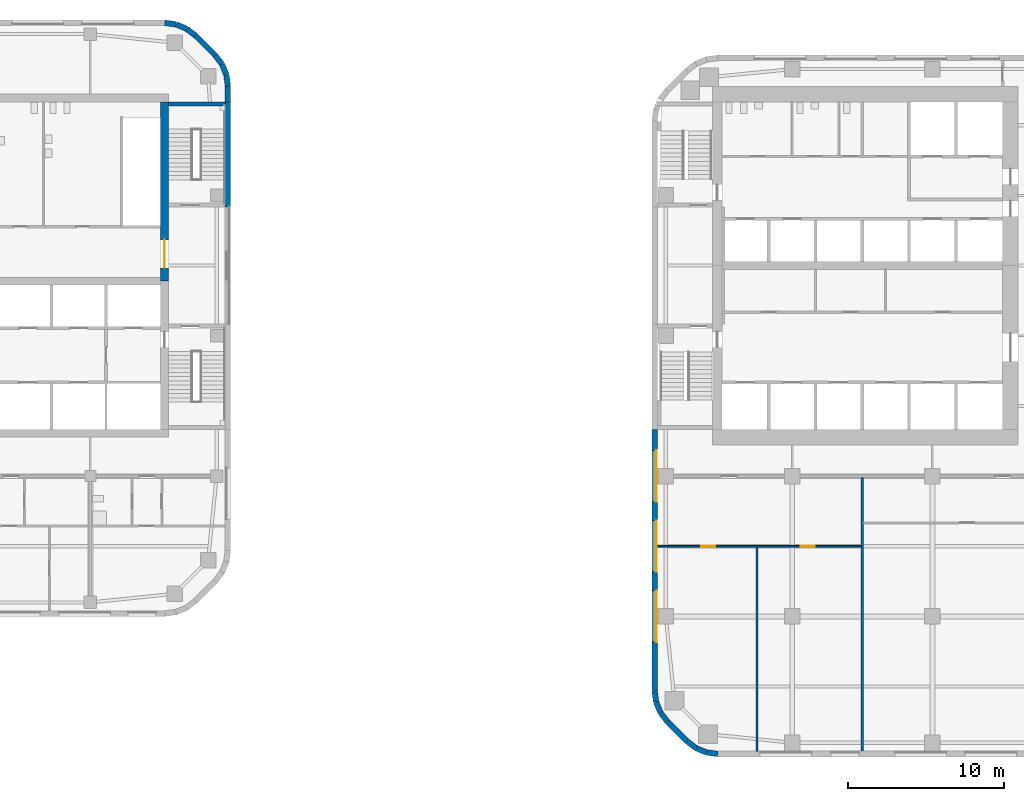
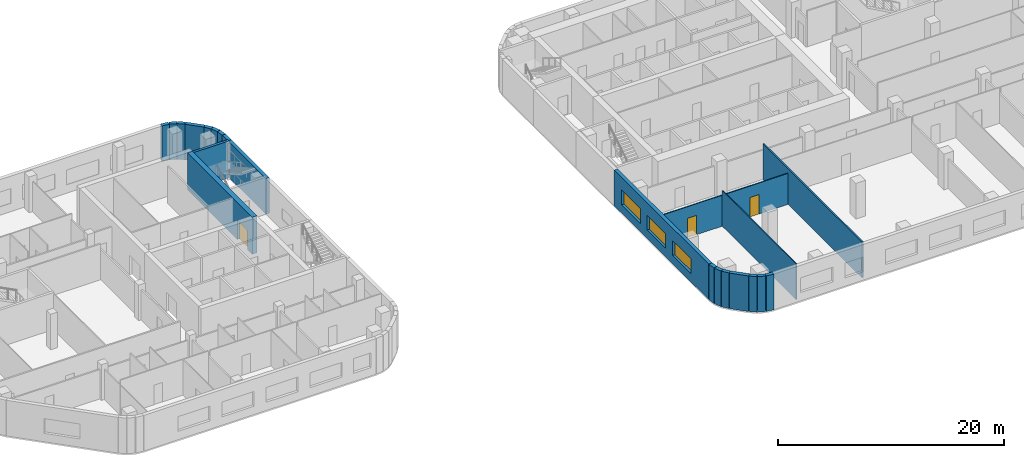
# One storey, part 8 of 16: 22 walls, 3 doors, 3 windows, 6 openings.
"""IFC4 building model written with IfcOpenShell, lengths in metres."""

from ifc_helpers import new_model, si_unit, direction, frame, frame_2d, origin, place, context, subcontext, project, spatial, rectangle, extrude, material, layer, layer_set, type_object, element, fill, save


model = new_model("IFC4")

# Units and contexts
model_context = context("Model", 3, precision=1e-05, world=origin(), true_north=direction((0.0, 1.0)))
body_context = subcontext(model_context, "Body", "Model", "MODEL_VIEW")
ifc_project = project(units=[si_unit("LENGTHUNIT", "METRE"), si_unit("AREAUNIT", "SQUARE_METRE"), si_unit("VOLUMEUNIT", "CUBIC_METRE"), si_unit("PLANEANGLEUNIT", "RADIAN"), si_unit("MASSUNIT", "GRAM", prefix="KILO")], contexts=[model_context])

# Site, building, storey
site_placement = place(None, origin())
site = spatial("IfcSite", under=ifc_project, at=site_placement, CompositionType="ELEMENT")
building_placement = place(site_placement, origin())
building = spatial("IfcBuilding", under=site, at=building_placement, Name="Cinnabar Reach Civic Tower", CompositionType="ELEMENT")
storey_placement = place(building_placement, frame((0.0, 0.0, 55.0)))
storey = spatial("IfcBuildingStorey", under=building, at=storey_placement, Name="L12", CompositionType="ELEMENT", Elevation=55.0)

# Walls
ifc_material_1 = material(Name="Facing brick with insulated backing", Category="masonry")
ifc_layer_1 = layer(ifc_material_1, 0.36)
ifc_layer_set_1 = layer_set([ifc_layer_1], Name="Brick corner wall")
wall_type_1 = type_object("IfcWallType", Name="Brick corner wall", PredefinedType="STANDARD", material=ifc_layer_set_1)
for number, where, z_axis, x_axis, name in (
    (1, (0.183, 4.2314, 0.0), (0.0, 0.0, 1.0), (0.13055608231, -0.99144092581, 0.0), "Brick corner wall"),
    (2, (0.2819, 3.5027, 0.0), (0.0, 0.0, 1.0), (0.382702709855, -0.923871547278, 0.0), "Brick corner wall"),
):
    element("IfcWall", number, at=place(storey_placement, frame(where, z_axis=z_axis, x_axis=x_axis)), inside=storey, type_object=wall_type_1, Name=name, PredefinedType="STANDARD", context=body_context, shape_type="SweptSolid", body=[
        extrude(rectangle(XDim=0.7131, YDim=0.36, at=frame_2d((0.3565, 0.0))), origin(), (0.0, 0.0, 1.0), 3.85),
    ])
for number, where, z_axis, x_axis, name in (
    (3, (0.566, 2.8245, 0.0), (0.0, 0.0, 1.0), (0.608802368033, -0.793321924995, 0.0), "Brick corner wall"),
    (4, (2.2587, 1.0002, 0.0), (0.0, 0.0, 1.0), (0.793321924995, -0.608802368033, 0.0), "Brick corner wall"),
):
    element("IfcWall", number, at=place(storey_placement, frame(where, z_axis=z_axis, x_axis=x_axis)), inside=storey, type_object=wall_type_1, Name=name, PredefinedType="STANDARD", context=body_context, shape_type="SweptSolid", body=[
        extrude(rectangle(XDim=0.7132, YDim=0.36, at=frame_2d((0.3566, 0.0))), origin(), (0.0, 0.0, 1.0), 3.85),
    ])
for number, where, z_axis, x_axis, name in (
    (5, (2.8439, 0.5548, 0.0), (0.0, 0.0, 1.0), (0.923871547278, -0.382702709855, 0.0), "Brick corner wall"),
    (6, (3.5244, 0.2761, 0.0), (0.0, 0.0, 1.0), (0.99144092581, -0.13055608231, 0.0), "Brick corner wall"),
    (7, (-27.183, 43.0186, 0.0), (0.0, 0.0, 1.0), (-0.13055608231, 0.99144092581, 0.0), "Brick corner wall"),
    (8, (-27.2819, 43.7473, 0.0), (0.0, 0.0, 1.0), (-0.382702709855, 0.923871547278, 0.0), "Brick corner wall"),
):
    element("IfcWall", number, at=place(storey_placement, frame(where, z_axis=z_axis, x_axis=x_axis)), inside=storey, type_object=wall_type_1, Name=name, PredefinedType="STANDARD", context=body_context, shape_type="SweptSolid", body=[
        extrude(rectangle(XDim=0.7131, YDim=0.36, at=frame_2d((0.3565, 0.0))), origin(), (0.0, 0.0, 1.0), 3.85),
    ])
for number, where, z_axis, x_axis, name in (
    (9, (-27.566, 44.4255, 0.0), (0.0, 0.0, 1.0), (-0.608802368033, 0.793321924995, 0.0), "Brick corner wall"),
    (10, (-29.2587, 46.2498, 0.0), (0.0, 0.0, 1.0), (-0.793321924995, 0.608802368033, 0.0), "Brick corner wall"),
):
    element("IfcWall", number, at=place(storey_placement, frame(where, z_axis=z_axis, x_axis=x_axis)), inside=storey, type_object=wall_type_1, Name=name, PredefinedType="STANDARD", context=body_context, shape_type="SweptSolid", body=[
        extrude(rectangle(XDim=0.7132, YDim=0.36, at=frame_2d((0.3566, 0.0))), origin(), (0.0, 0.0, 1.0), 3.85),
    ])
for number, where, z_axis, x_axis, name in (
    (11, (-29.8439, 46.6952, 0.0), (0.0, 0.0, 1.0), (-0.923871547278, 0.382702709855, 0.0), "Brick corner wall"),
    (12, (-30.5244, 46.9739, 0.0), (0.0, 0.0, 1.0), (-0.99144092581, 0.13055608231, 0.0), "Brick corner wall"),
):
    element("IfcWall", number, at=place(storey_placement, frame(where, z_axis=z_axis, x_axis=x_axis)), inside=storey, type_object=wall_type_1, Name=name, PredefinedType="STANDARD", context=body_context, shape_type="SweptSolid", body=[
        extrude(rectangle(XDim=0.7131, YDim=0.36, at=frame_2d((0.3565, 0.0))), origin(), (0.0, 0.0, 1.0), 3.85),
    ])

# Wall, openings, windows
ifc_layer_2 = layer(ifc_material_1, 0.36)
ifc_layer_set_2 = layer_set([ifc_layer_2], Name="Brick pier and spandrel wall")
wall_type_2 = type_object("IfcWallType", Name="Brick pier and spandrel wall", PredefinedType="STANDARD", material=ifc_layer_set_2)
wall_1_placement = place(storey_placement, frame((0.18, 21.0, 0.0), z_axis=(0.0, 0.0, 1.0), x_axis=(0.0, -1.0, 0.0)))
wall_1 = element("IfcWall", 13, at=wall_1_placement, inside=storey, type_object=wall_type_2, Name="Brick facade wall", PredefinedType="STANDARD", context=body_context, shape_type="SweptSolid", body=[
    extrude(rectangle(XDim=16.7574, YDim=0.36, at=frame_2d((8.3787, 0.0))), origin(), (0.0, 0.0, 1.0), 3.85),
])
opening_1_placement = place(wall_1_placement, frame((1.35, 0.0, 0.9)))
opening_1 = element("IfcOpeningElement", 14, at=opening_1_placement, cuts=wall_1, Name="Opening W1210", PredefinedType="OPENING", context=body_context, shape_type="SweptSolid", body=[
    extrude(rectangle(XDim=3.3, YDim=1.6, at=frame_2d((1.65, 0.8))), frame((0.0, 0.19, 0.0), z_axis=(0.0, -1.0, 0.0), x_axis=(1.0, 0.0, 0.0)), (0.0, 0.0, 1.0), 0.38),
])
opening_2_placement = place(wall_1_placement, frame((5.85, 0.0, 0.9)))
opening_2 = element("IfcOpeningElement", 15, at=opening_2_placement, cuts=wall_1, Name="Opening W1211", PredefinedType="OPENING", context=body_context, shape_type="SweptSolid", body=[
    extrude(rectangle(XDim=3.3, YDim=1.6, at=frame_2d((1.65, 0.8))), frame((0.0, 0.19, 0.0), z_axis=(0.0, -1.0, 0.0), x_axis=(1.0, 0.0, 0.0)), (0.0, 0.0, 1.0), 0.38),
])
opening_3_placement = place(wall_1_placement, frame((10.35, 0.0, 0.9)))
opening_3 = element("IfcOpeningElement", 16, at=opening_3_placement, cuts=wall_1, Name="Opening W1212", PredefinedType="OPENING", context=body_context, shape_type="SweptSolid", body=[
    extrude(rectangle(XDim=3.3, YDim=1.6, at=frame_2d((1.65, 0.8))), frame((0.0, 0.19, 0.0), z_axis=(0.0, -1.0, 0.0), x_axis=(1.0, 0.0, 0.0)), (0.0, 0.0, 1.0), 0.38),
])
ifc_material_2 = material(Name="Clear double glazing in aluminium frame", Category="aluminium")
window_type = type_object("IfcWindowType", Name="Deep-set window A", PartitioningType="SINGLE_PANEL", PredefinedType="WINDOW", material=ifc_material_2)
window_1_placement = place(opening_1_placement, origin())
window_1 = element("IfcWindow", 17, at=window_1_placement, inside=storey, type_object=window_type, Name="Window west face", OverallHeight=1.6, OverallWidth=3.3, PartitioningType="SINGLE_PANEL", PredefinedType="WINDOW", context=body_context, shape_type="SweptSolid", body=[
    extrude(rectangle(XDim=3.3, YDim=1.6, at=frame_2d((1.65, 0.8))), frame((0.0, 0.13, 0.0), z_axis=(0.0, -1.0, 0.0), x_axis=(1.0, 0.0, 0.0)), (0.0, 0.0, 1.0), 0.06),
])
fill(opening_1, window_1)
window_2_placement = place(opening_2_placement, origin())
window_2 = element("IfcWindow", 18, at=window_2_placement, inside=storey, type_object=window_type, Name="Window west face", OverallHeight=1.6, OverallWidth=3.3, PartitioningType="SINGLE_PANEL", PredefinedType="WINDOW", context=body_context, shape_type="SweptSolid", body=[
    extrude(rectangle(XDim=3.3, YDim=1.6, at=frame_2d((1.65, 0.8))), frame((0.0, 0.13, 0.0), z_axis=(0.0, -1.0, 0.0), x_axis=(1.0, 0.0, 0.0)), (0.0, 0.0, 1.0), 0.06),
])
fill(opening_2, window_2)
window_3_placement = place(opening_3_placement, origin())
window_3 = element("IfcWindow", 19, at=window_3_placement, inside=storey, type_object=window_type, Name="Window west face", OverallHeight=1.6, OverallWidth=3.3, PartitioningType="SINGLE_PANEL", PredefinedType="WINDOW", context=body_context, shape_type="SweptSolid", body=[
    extrude(rectangle(XDim=3.3, YDim=1.6, at=frame_2d((1.65, 0.8))), frame((0.0, 0.13, 0.0), z_axis=(0.0, -1.0, 0.0), x_axis=(1.0, 0.0, 0.0)), (0.0, 0.0, 1.0), 0.06),
])
fill(opening_3, window_3)

# Walls
wall_2_placement = place(storey_placement, frame((1.006, 2.2486, 0.0), z_axis=(0.0, 0.0, 1.0), x_axis=(0.707106781187, -0.707106781187, 0.0)))
element("IfcWall", 20, at=wall_2_placement, inside=storey, type_object=wall_type_2, Name="Brick facade wall", PredefinedType="STANDARD", context=body_context, shape_type="SweptSolid", body=[
    extrude(rectangle(XDim=1.7573, YDim=0.36, at=frame_2d((0.8787, 0.0))), origin(), (0.0, 0.0, 1.0), 3.85),
])
wall_3_placement = place(storey_placement, frame((-27.18, 35.25, 0.0), z_axis=(0.0, 0.0, 1.0), x_axis=(0.0, 1.0, 0.0)))
element("IfcWall", 21, at=wall_3_placement, inside=storey, type_object=wall_type_2, Name="Brick facade wall", PredefinedType="STANDARD", context=body_context, shape_type="SweptSolid", body=[
    extrude(rectangle(XDim=6.75, YDim=0.36, at=frame_2d((3.375, 0.0))), origin(), (0.0, 0.0, 1.0), 3.85),
])
wall_4_placement = place(storey_placement, frame((-27.18, 42.0, 0.0), z_axis=(0.0, 0.0, 1.0), x_axis=(0.0, 1.0, 0.0)))
element("IfcWall", 22, at=wall_4_placement, inside=storey, type_object=wall_type_2, Name="Brick facade wall", PredefinedType="STANDARD", context=body_context, shape_type="SweptSolid", body=[
    extrude(rectangle(XDim=1.0074, YDim=0.36, at=frame_2d((0.5037, 0.0))), origin(), (0.0, 0.0, 1.0), 3.85),
])
wall_5_placement = place(storey_placement, frame((-28.006, 45.0014, 0.0), z_axis=(0.0, 0.0, 1.0), x_axis=(-0.707106781187, 0.707106781187, 0.0)))
element("IfcWall", 23, at=wall_5_placement, inside=storey, type_object=wall_type_2, Name="Brick facade wall", PredefinedType="STANDARD", context=body_context, shape_type="SweptSolid", body=[
    extrude(rectangle(XDim=1.7573, YDim=0.36, at=frame_2d((0.8787, 0.0))), origin(), (0.0, 0.0, 1.0), 3.85),
])

# Wall, opening, door
ifc_material_3 = material(Name="Concrete C60", Category="concrete")
ifc_layer_3 = layer(ifc_material_3, 0.5)
ifc_layer_set_3 = layer_set([ifc_layer_3], Name="Core wall 500 EI 180")
wall_type_3 = type_object("IfcWallType", Name="Core wall 500 EI 180", PredefinedType="SOLIDWALL", material=ifc_layer_set_3)
wall_6_placement = place(storey_placement, frame((-31.25, 30.5, 0.0), z_axis=(0.0, 0.0, 1.0), x_axis=(0.0, 1.0, 0.0)))
wall_6 = element("IfcWall", 24, at=wall_6_placement, inside=storey, type_object=wall_type_3, Name="Core wall T2 L12 E2", PredefinedType="SOLIDWALL", context=body_context, shape_type="SweptSolid", body=[
    extrude(rectangle(XDim=11.5, YDim=0.5, at=frame_2d((5.75, 0.0))), origin(), (0.0, 0.0, 1.0), 4.0),
])
opening_4_placement = place(wall_6_placement, frame((0.85, 0.0, 0.0)))
opening_4 = element("IfcOpeningElement", 25, at=opening_4_placement, cuts=wall_6, Name="Opening D6450", PredefinedType="OPENING", context=body_context, shape_type="SweptSolid", body=[
    extrude(rectangle(XDim=1.8, YDim=2.1, at=frame_2d((0.9, 1.05))), frame((0.0, 0.26, 0.0), z_axis=(0.0, -1.0, 0.0), x_axis=(1.0, 0.0, 0.0)), (0.0, 0.0, 1.0), 0.52),
])
ifc_material_4 = material(Name="Steel fire door", Category="steel")
door_type_1 = type_object("IfcDoorType", Name="T2 Double door 1800", OperationType="DOUBLE_DOOR_SINGLE_SWING", PredefinedType="DOOR", material=ifc_material_4)
door_1_placement = place(opening_4_placement, origin())
door_1 = element("IfcDoor", 26, at=door_1_placement, inside=storey, type_object=door_type_1, Name="T2 Double door D6450", OperationType="DOUBLE_DOOR_SINGLE_SWING", OverallHeight=2.1, OverallWidth=1.8, PredefinedType="DOOR", context=body_context, shape_type="SweptSolid", body=[
    extrude(rectangle(XDim=1.8, YDim=2.1, at=frame_2d((0.9, 1.05))), frame((0.0, 0.025, 0.0), z_axis=(0.0, -1.0, 0.0), x_axis=(1.0, 0.0, 0.0)), (0.0, 0.0, 1.0), 0.05),
])
fill(opening_4, door_1)

# Wall, openings, doors
ifc_material_5 = material(Name="Gypsum board on steel studs", Category="steel")
ifc_layer_4 = layer(ifc_material_5, 0.1)
ifc_layer_set_4 = layer_set([ifc_layer_4], Name="Partition wall 100 T1")
wall_type_4 = type_object("IfcWallType", Name="Partition wall 100 T1", PredefinedType="PARTITIONING", material=ifc_layer_set_4)
wall_7_placement = place(storey_placement, frame((0.36, 13.5, 0.0), z_axis=(0.0, 0.0, 1.0), x_axis=(1.0, 0.0, 0.0)))
wall_7 = element("IfcWall", 27, at=wall_7_placement, inside=storey, type_object=wall_type_4, Name="Partition wall 54", PredefinedType="PARTITIONING", context=body_context, shape_type="SweptSolid", body=[
    extrude(rectangle(XDim=13.065, YDim=0.1, at=frame_2d((6.5325, 0.0))), origin(), (0.0, 0.0, 1.0), 3.35),
])
opening_5_placement = place(wall_7_placement, frame((2.8, 0.0, 0.0)))
opening_5 = element("IfcOpeningElement", 28, at=opening_5_placement, cuts=wall_7, Name="Opening D3503", PredefinedType="OPENING", context=body_context, shape_type="SweptSolid", body=[
    extrude(rectangle(XDim=0.9, YDim=2.1, at=frame_2d((0.45, 1.05))), frame((0.0, 0.06, 0.0), z_axis=(0.0, -1.0, 0.0), x_axis=(1.0, 0.0, 0.0)), (0.0, 0.0, 1.0), 0.12),
])
opening_6_placement = place(wall_7_placement, frame((9.19, 0.0, 0.0)))
opening_6 = element("IfcOpeningElement", 29, at=opening_6_placement, cuts=wall_7, Name="Opening D3504", PredefinedType="OPENING", context=body_context, shape_type="SweptSolid", body=[
    extrude(rectangle(XDim=0.9, YDim=2.1, at=frame_2d((0.45, 1.05))), frame((0.0, 0.06, 0.0), z_axis=(0.0, -1.0, 0.0), x_axis=(1.0, 0.0, 0.0)), (0.0, 0.0, 1.0), 0.12),
])
ifc_material_6 = material(Name="Timber door leaf in steel frame", Category="steel")
door_type_2 = type_object("IfcDoorType", Name="Single swing door 900 x 2100 T1", OperationType="SINGLE_SWING_LEFT", PredefinedType="DOOR", material=ifc_material_6)
door_2_placement = place(opening_5_placement, origin())
door_2 = element("IfcDoor", 30, at=door_2_placement, inside=storey, type_object=door_type_2, Name="Door D3503", OperationType="SINGLE_SWING_LEFT", OverallHeight=2.1, OverallWidth=0.9, PredefinedType="DOOR", context=body_context, shape_type="SweptSolid", body=[
    extrude(rectangle(XDim=0.9, YDim=2.1, at=frame_2d((0.45, 1.05))), frame((0.0, 0.025, 0.0), z_axis=(0.0, -1.0, 0.0), x_axis=(1.0, 0.0, 0.0)), (0.0, 0.0, 1.0), 0.05),
])
fill(opening_5, door_2)
door_3_placement = place(opening_6_placement, origin())
door_3 = element("IfcDoor", 31, at=door_3_placement, inside=storey, type_object=door_type_2, Name="Door D3504", OperationType="SINGLE_SWING_RIGHT", OverallHeight=2.1, OverallWidth=0.9, PredefinedType="DOOR", context=body_context, shape_type="SweptSolid", body=[
    extrude(rectangle(XDim=0.9, YDim=2.1, at=frame_2d((0.45, 1.05))), frame((0.0, 0.025, 0.0), z_axis=(0.0, -1.0, 0.0), x_axis=(1.0, 0.0, 0.0)), (0.0, 0.0, 1.0), 0.05),
])
fill(opening_6, door_3)

# Walls
wall_8_placement = place(storey_placement, frame((6.75, 0.36, 0.0), z_axis=(0.0, 0.0, 1.0), x_axis=(0.0, 1.0, 0.0)))
element("IfcWall", 32, at=wall_8_placement, inside=storey, type_object=wall_type_4, Name="Partition wall 55", PredefinedType="PARTITIONING", context=body_context, shape_type="SweptSolid", body=[
    extrude(rectangle(XDim=13.09, YDim=0.1, at=frame_2d((6.545, 0.0))), origin(), (0.0, 0.0, 1.0), 3.85),
])
ifc_layer_5 = layer(ifc_material_3, 0.25)
ifc_layer_set_5 = layer_set([ifc_layer_5], Name="Stair shaft wall 250 EI 120")
wall_type_5 = type_object("IfcWallType", Name="Stair shaft wall 250 EI 120", PredefinedType="SOLIDWALL", material=ifc_layer_set_5)
wall_9_placement = place(storey_placement, frame((-27.36, 41.875, 0.0), z_axis=(0.0, 0.0, 1.0), x_axis=(-1.0, 0.0, 0.0)))
element("IfcWall", 33, at=wall_9_placement, inside=storey, type_object=wall_type_5, Name="Stair shaft wall T2-S2 L12", PredefinedType="SOLIDWALL", context=body_context, shape_type="SweptSolid", body=[
    extrude(rectangle(XDim=3.64, YDim=0.25, at=frame_2d((1.82, 0.0))), origin(), (0.0, 0.0, 1.0), 4.0),
])
ifc_material_7 = material(Name="Gypsum board on steel studs, double layer", Category="steel")
ifc_layer_6 = layer(ifc_material_7, 0.15)
ifc_layer_set_6 = layer_set([ifc_layer_6], Name="Tenancy separating wall 150 T1")
wall_type_6 = type_object("IfcWallType", Name="Tenancy separating wall 150 T1", PredefinedType="PARTITIONING", material=ifc_layer_set_6)
wall_10_placement = place(storey_placement, frame((13.5, 0.36, 0.0), z_axis=(0.0, 0.0, 1.0), x_axis=(0.0, 1.0, 0.0)))
element("IfcWall", 34, at=wall_10_placement, inside=storey, type_object=wall_type_6, Name="Tenancy separating wall 41", PredefinedType="PARTITIONING", context=body_context, shape_type="SweptSolid", body=[
    extrude(rectangle(XDim=17.565, YDim=0.15, at=frame_2d((8.7825, 0.0))), origin(), (0.0, 0.0, 1.0), 3.85),
])

save(model, "model.ifc")
